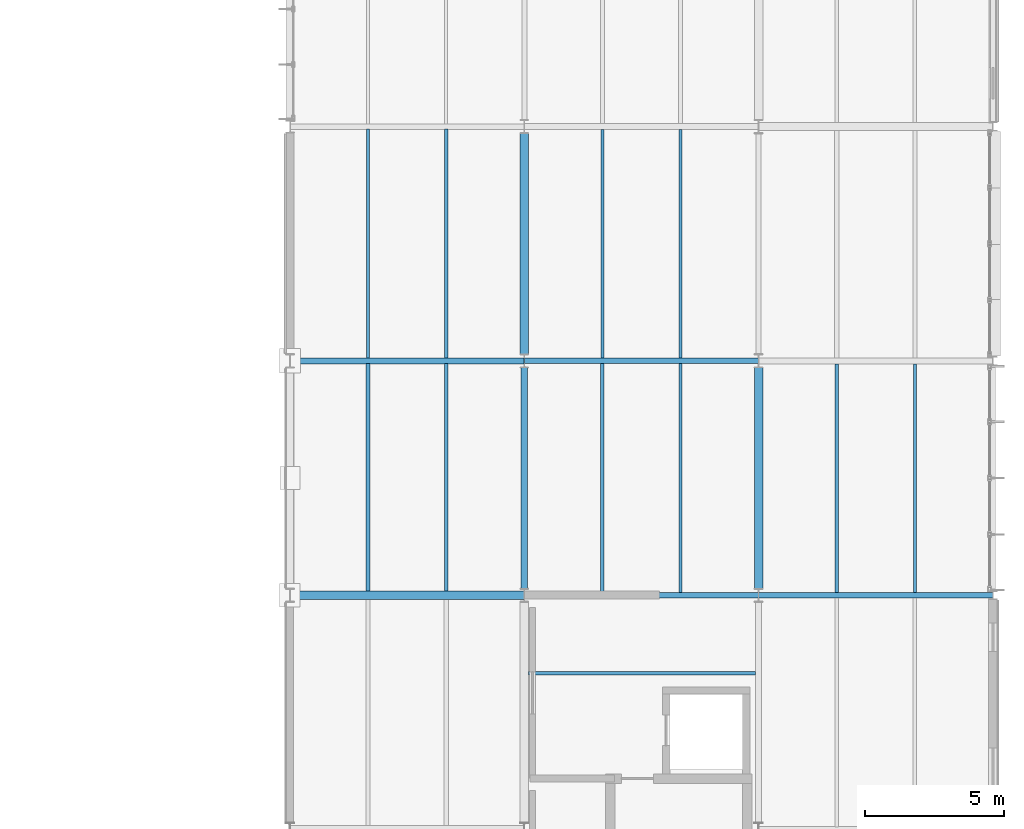
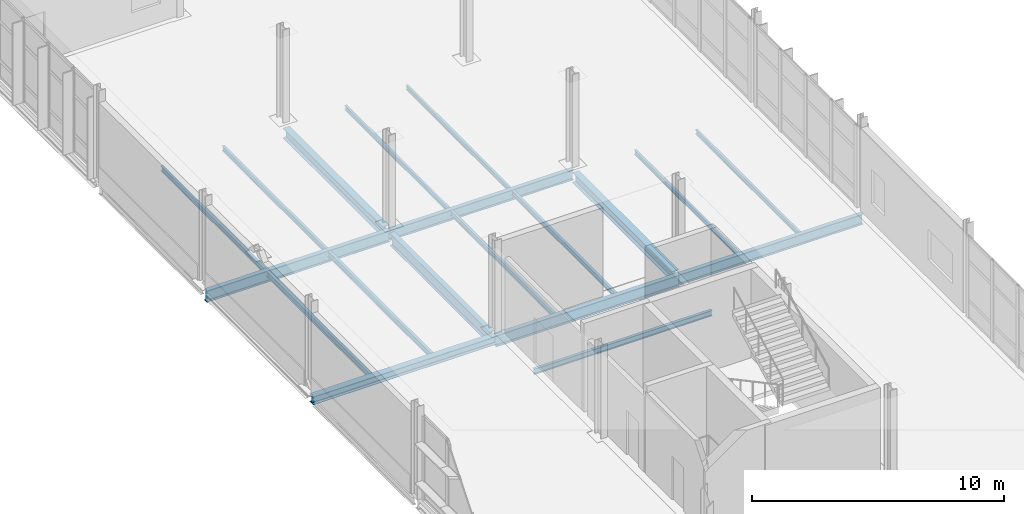
# One storey, part 72 of 129: 19 beams.
"""IFC4 building model written with IfcOpenShell, lengths in metres."""

from ifc_helpers import new_model, si_unit, direction, frame, origin, origin_2d, place, context, subcontext, project, spatial, i_section, extrude, material, material_profile, profile_set, type_object, element, save


model = new_model("IFC4")

# Units and contexts
model_context = context("Model", 3, precision=1e-05, world=origin(), true_north=direction((0.0, 1.0)))
body_context = subcontext(model_context, "Body", "Model", "MODEL_VIEW")
ifc_project = project(units=[si_unit("LENGTHUNIT", "METRE"), si_unit("AREAUNIT", "SQUARE_METRE"), si_unit("VOLUMEUNIT", "CUBIC_METRE"), si_unit("PLANEANGLEUNIT", "RADIAN"), si_unit("MASSUNIT", "GRAM", prefix="KILO")], contexts=[model_context])

# Site, building, storey
site_placement = place(None, origin())
site = spatial("IfcSite", under=ifc_project, at=site_placement, CompositionType="ELEMENT")
building_placement = place(site_placement, origin())
building = spatial("IfcBuilding", under=site, at=building_placement, Name="Mersafa Astral City Hall", CompositionType="ELEMENT")
storey_placement = place(building_placement, frame((0.0, 0.0, 5.39990234375)))
storey = spatial("IfcBuildingStorey", under=building, at=storey_placement, Name="L01", CompositionType="ELEMENT", Elevation=5.39990234375)

# Beams
ifc_material = material(Name="Steel S355", Category="steel")
ifc_material_profile_1 = material_profile(ifc_material, i_section(OverallWidth=0.300048828125, OverallDepth=0.389892578125, WebThickness=0.010986328125, FlangeThickness=0.01904296875, FilletRadius=0.027099609375, at=origin_2d()), Name="HEA 400")
ifc_profile_set_1 = profile_set([ifc_material_profile_1], Name="Steel S355")
beam_type_1 = type_object("IfcBeamType", Name="STR-BM-HEA400", PredefinedType="BEAM", material=ifc_profile_set_1)
beam_1_placement = place(storey_placement, frame((159.60302734375, 67.199951171875, -0.419921875), z_axis=(1.0, 0.0, 0.0), x_axis=(0.0, 1.0, 0.0)))
element("IfcBeam", 1, at=beam_1_placement, inside=storey, type_object=beam_type_1, Name="L01 Primary girder X 19-8", PredefinedType="BEAM", context=body_context, shape_type="SweptSolid", body=[
    extrude(i_section(OverallWidth=0.300048828125, OverallDepth=0.389892578125, WebThickness=0.010986328125, FlangeThickness=0.01904296875, FilletRadius=0.027099609375, at=origin_2d()), origin(), (0.0, 0.0, 1.0), 8.39404296875),
])
ifc_material_profile_2 = material_profile(ifc_material, i_section(OverallWidth=0.300048828125, OverallDepth=0.489990234375, WebThickness=0.011962890625, FlangeThickness=0.02294921875, FilletRadius=0.027099609375, at=origin_2d()), Name="HEA 500")
ifc_profile_set_2 = profile_set([ifc_material_profile_2], Name="Steel S355")
beam_type_2 = type_object("IfcBeamType", Name="STR-BM-HEA500", PredefinedType="BEAM", material=ifc_profile_set_2)
for number, where, z_axis, x_axis, name in (
    (2, (168.0, 75.844970703125, -0.469970703125), (0.0, 1.0, 0.0), (-1.0, 0.0, 0.0), "L01 Primary girder Y 20-9"),
    (3, (176.39990234375, 67.445068359375, -0.469970703125), (0.0, 1.0, 0.0), (-1.0, 0.0, 0.0), "L01 Primary girder Y 21-8"),
):
    element("IfcBeam", number, at=place(storey_placement, frame(where, z_axis=z_axis, x_axis=x_axis)), inside=storey, type_object=beam_type_2, Name=name, PredefinedType="BEAM", context=body_context, shape_type="SweptSolid", body=[
        extrude(i_section(OverallWidth=0.300048828125, OverallDepth=0.489990234375, WebThickness=0.011962890625, FlangeThickness=0.02294921875, FilletRadius=0.027099609375, at=origin_2d()), origin(), (0.0, 0.0, 1.0), 7.909912109375),
    ])
ifc_material_profile_3 = material_profile(ifc_material, i_section(OverallWidth=0.199951171875, OverallDepth=0.5, WebThickness=0.01025390625, FlangeThickness=0.01611328125, FilletRadius=0.02099609375, at=origin_2d()), Name="IPE 500")
ifc_profile_set_3 = profile_set([ifc_material_profile_3], Name="Steel S355")
beam_type_3 = type_object("IfcBeamType", Name="STR-BM-IPE500", PredefinedType="BEAM", material=ifc_profile_set_3)
for number, where, z_axis, x_axis, name in (
    (4, (176.403076171875, 67.199951171875, -0.474853515625), (1.0, 0.0, 0.0), (0.0, 1.0, 0.0), "L01 Primary girder X 21-8"),
    (5, (168.0029296875, 75.60009765625, -0.474853515625), (1.0, 0.0, 0.0), (0.0, 1.0, 0.0), "L01 Primary girder X 20-9"),
):
    element("IfcBeam", number, at=place(storey_placement, frame(where, z_axis=z_axis, x_axis=x_axis)), inside=storey, type_object=beam_type_3, Name=name, PredefinedType="BEAM", context=body_context, shape_type="SweptSolid", body=[
        extrude(i_section(OverallWidth=0.199951171875, OverallDepth=0.5, WebThickness=0.01025390625, FlangeThickness=0.01611328125, FilletRadius=0.02099609375, at=origin_2d()), origin(), (0.0, 0.0, 1.0), 8.39404296875),
    ])
ifc_material_profile_4 = material_profile(ifc_material, i_section(OverallWidth=0.2099609375, OverallDepth=0.550048828125, WebThickness=0.010986328125, FlangeThickness=0.01708984375, FilletRadius=0.02392578125, at=origin_2d()), Name="IPE 550")
ifc_profile_set_4 = profile_set([ifc_material_profile_4], Name="Steel S355")
beam_type_4 = type_object("IfcBeamType", Name="STR-BM-IPE550", PredefinedType="BEAM", material=ifc_profile_set_4)
for number, where, z_axis, x_axis, name in (
    (6, (168.0029296875, 67.199951171875, -0.5), (1.0, 0.0, 0.0), (0.0, 1.0, 0.0), "L01 Primary girder X 20-8"),
    (7, (159.60302734375, 75.60009765625, -0.5), (1.0, 0.0, 0.0), (0.0, 1.0, 0.0), "L01 Primary girder X 19-9"),
):
    element("IfcBeam", number, at=place(storey_placement, frame(where, z_axis=z_axis, x_axis=x_axis)), inside=storey, type_object=beam_type_4, Name=name, PredefinedType="BEAM", context=body_context, shape_type="SweptSolid", body=[
        extrude(i_section(OverallWidth=0.2099609375, OverallDepth=0.550048828125, WebThickness=0.010986328125, FlangeThickness=0.01708984375, FilletRadius=0.02392578125, at=origin_2d()), origin(), (0.0, 0.0, 1.0), 8.39404296875),
    ])
ifc_material_profile_5 = material_profile(ifc_material, i_section(OverallWidth=0.219970703125, OverallDepth=0.60009765625, WebThickness=0.011962890625, FlangeThickness=0.01904296875, FilletRadius=0.02392578125, at=origin_2d()), Name="IPE 600")
ifc_profile_set_5 = profile_set([ifc_material_profile_5], Name="Steel S355")
beam_type_5 = type_object("IfcBeamType", Name="STR-BM-IPE600", PredefinedType="BEAM", material=ifc_profile_set_5)
beam_2_placement = place(storey_placement, frame((168.0, 67.445068359375, -0.52490234375), z_axis=(0.0, 1.0, 0.0), x_axis=(-1.0, 0.0, 0.0)))
element("IfcBeam", 8, at=beam_2_placement, inside=storey, type_object=beam_type_5, Name="L01 Primary girder Y 20-8", PredefinedType="BEAM", context=body_context, shape_type="SweptSolid", body=[
    extrude(i_section(OverallWidth=0.219970703125, OverallDepth=0.60009765625, WebThickness=0.011962890625, FlangeThickness=0.01904296875, FilletRadius=0.02392578125, at=origin_2d()), origin(), (0.0, 0.0, 1.0), 7.909912109375),
])
ifc_material_profile_6 = material_profile(ifc_material, i_section(OverallWidth=0.110107421875, OverallDepth=0.219970703125, WebThickness=0.005859375, FlangeThickness=0.00927734375, FilletRadius=0.011962890625, at=origin_2d()), Name="IPE 220")
ifc_profile_set_6 = profile_set([ifc_material_profile_6], Name="Steel S355")
beam_type_6 = type_object("IfcBeamType", Name="STR-BM-JOIST-IPE220", PredefinedType="JOIST", material=ifc_profile_set_6)
for number, where, z_axis, x_axis, name in (
    (9, (170.800048828125, 75.695068359375, -0.3349609375), (0.0, 1.0, 0.0), (-1.0, 0.0, 0.0), "L01 Composite secondary floor joist 381"),
    (10, (173.60009765625, 75.695068359375, -0.3349609375), (0.0, 1.0, 0.0), (-1.0, 0.0, 0.0), "L01 Composite secondary floor joist 382"),
):
    element("IfcBeam", number, at=place(storey_placement, frame(where, z_axis=z_axis, x_axis=x_axis)), inside=storey, type_object=beam_type_6, Name=name, PredefinedType="JOIST", context=body_context, shape_type="SweptSolid", body=[
        extrude(i_section(OverallWidth=0.110107421875, OverallDepth=0.219970703125, WebThickness=0.005859375, FlangeThickness=0.00927734375, FilletRadius=0.011962890625, at=origin_2d()), origin(), (0.0, 0.0, 1.0), 8.199951171875),
    ])
for number, where, z_axis, x_axis, name in (
    (11, (179.199951171875, 67.294921875, -0.3349609375), (0.0, 1.0, 0.0), (-1.0, 0.0, 0.0), "L01 Composite secondary floor joist 395"),
    (12, (182.0, 67.294921875, -0.3349609375), (0.0, 1.0, 0.0), (-1.0, 0.0, 0.0), "L01 Composite secondary floor joist 396"),
):
    element("IfcBeam", number, at=place(storey_placement, frame(where, z_axis=z_axis, x_axis=x_axis)), inside=storey, type_object=beam_type_6, Name=name, PredefinedType="JOIST", context=body_context, shape_type="SweptSolid", body=[
        extrude(i_section(OverallWidth=0.110107421875, OverallDepth=0.219970703125, WebThickness=0.005859375, FlangeThickness=0.00927734375, FilletRadius=0.011962890625, at=origin_2d()), origin(), (0.0, 0.0, 1.0), 8.2001953125),
    ])
ifc_material_profile_7 = material_profile(ifc_material, i_section(OverallWidth=0.1201171875, OverallDepth=0.239990234375, WebThickness=0.006103515625, FlangeThickness=0.009765625, FilletRadius=0.014892578125, at=origin_2d()), Name="IPE 240")
ifc_profile_set_7 = profile_set([ifc_material_profile_7], Name="Steel S355")
beam_type_7 = type_object("IfcBeamType", Name="STR-BM-JOIST-IPE240", PredefinedType="JOIST", material=ifc_profile_set_7)
for number, where, z_axis, x_axis, name in (
    (13, (162.39990234375, 75.699951171875, -0.344970703125), (0.0, 1.0, 0.0), (-1.0, 0.0, 0.0), "L01 Composite secondary floor joist 366"),
    (14, (165.199951171875, 75.699951171875, -0.344970703125), (0.0, 1.0, 0.0), (-1.0, 0.0, 0.0), "L01 Composite secondary floor joist 367"),
):
    element("IfcBeam", number, at=place(storey_placement, frame(where, z_axis=z_axis, x_axis=x_axis)), inside=storey, type_object=beam_type_7, Name=name, PredefinedType="JOIST", context=body_context, shape_type="SweptSolid", body=[
        extrude(i_section(OverallWidth=0.1201171875, OverallDepth=0.239990234375, WebThickness=0.006103515625, FlangeThickness=0.009765625, FilletRadius=0.014892578125, at=origin_2d()), origin(), (0.0, 0.0, 1.0), 8.205078125),
    ])
for number, where, z_axis, x_axis, name in (
    (15, (170.800048828125, 67.300048828125, -0.344970703125), (0.0, 1.0, 0.0), (-1.0, 0.0, 0.0), "L01 Composite secondary floor joist 379"),
    (16, (173.60009765625, 67.300048828125, -0.344970703125), (0.0, 1.0, 0.0), (-1.0, 0.0, 0.0), "L01 Composite secondary floor joist 380"),
):
    element("IfcBeam", number, at=place(storey_placement, frame(where, z_axis=z_axis, x_axis=x_axis)), inside=storey, type_object=beam_type_7, Name=name, PredefinedType="JOIST", context=body_context, shape_type="SweptSolid", body=[
        extrude(i_section(OverallWidth=0.1201171875, OverallDepth=0.239990234375, WebThickness=0.006103515625, FlangeThickness=0.009765625, FilletRadius=0.014892578125, at=origin_2d()), origin(), (0.0, 0.0, 1.0), 8.204833984375),
    ])
ifc_material_profile_8 = material_profile(ifc_material, i_section(OverallWidth=0.135009765625, OverallDepth=0.27001953125, WebThickness=0.006591796875, FlangeThickness=0.01025390625, FilletRadius=0.014892578125, at=origin_2d()), Name="IPE 270")
ifc_profile_set_8 = profile_set([ifc_material_profile_8], Name="Steel S355")
beam_type_8 = type_object("IfcBeamType", Name="STR-BM-JOIST-IPE270", PredefinedType="JOIST", material=ifc_profile_set_8)
for number, where, z_axis, x_axis, name in (
    (17, (162.39990234375, 67.344970703125, -0.35986328125), (0.0, 1.0, 0.0), (-1.0, 0.0, 0.0), "L01 Composite secondary floor joist 364"),
    (18, (165.199951171875, 67.344970703125, -0.35986328125), (0.0, 1.0, 0.0), (-1.0, 0.0, 0.0), "L01 Composite secondary floor joist 365"),
):
    element("IfcBeam", number, at=place(storey_placement, frame(where, z_axis=z_axis, x_axis=x_axis)), inside=storey, type_object=beam_type_8, Name=name, PredefinedType="JOIST", context=body_context, shape_type="SweptSolid", body=[
        extrude(i_section(OverallWidth=0.135009765625, OverallDepth=0.27001953125, WebThickness=0.006591796875, FlangeThickness=0.01025390625, FilletRadius=0.014892578125, at=origin_2d()), origin(), (0.0, 0.0, 1.0), 8.155029296875),
    ])
beam_3_placement = place(storey_placement, frame((168.14501953125, 64.39990234375, -0.35986328125), z_axis=(1.0, 0.0, 0.0), x_axis=(0.0, 1.0, 0.0)))
element("IfcBeam", 19, at=beam_3_placement, inside=storey, type_object=beam_type_8, Name="L01 Composite secondary floor joist 378", PredefinedType="JOIST", context=body_context, shape_type="SweptSolid", body=[
    extrude(i_section(OverallWidth=0.135009765625, OverallDepth=0.27001953125, WebThickness=0.006591796875, FlangeThickness=0.01025390625, FilletRadius=0.014892578125, at=origin_2d()), origin(), (0.0, 0.0, 1.0), 8.14990234375),
])

save(model, "model.ifc")
